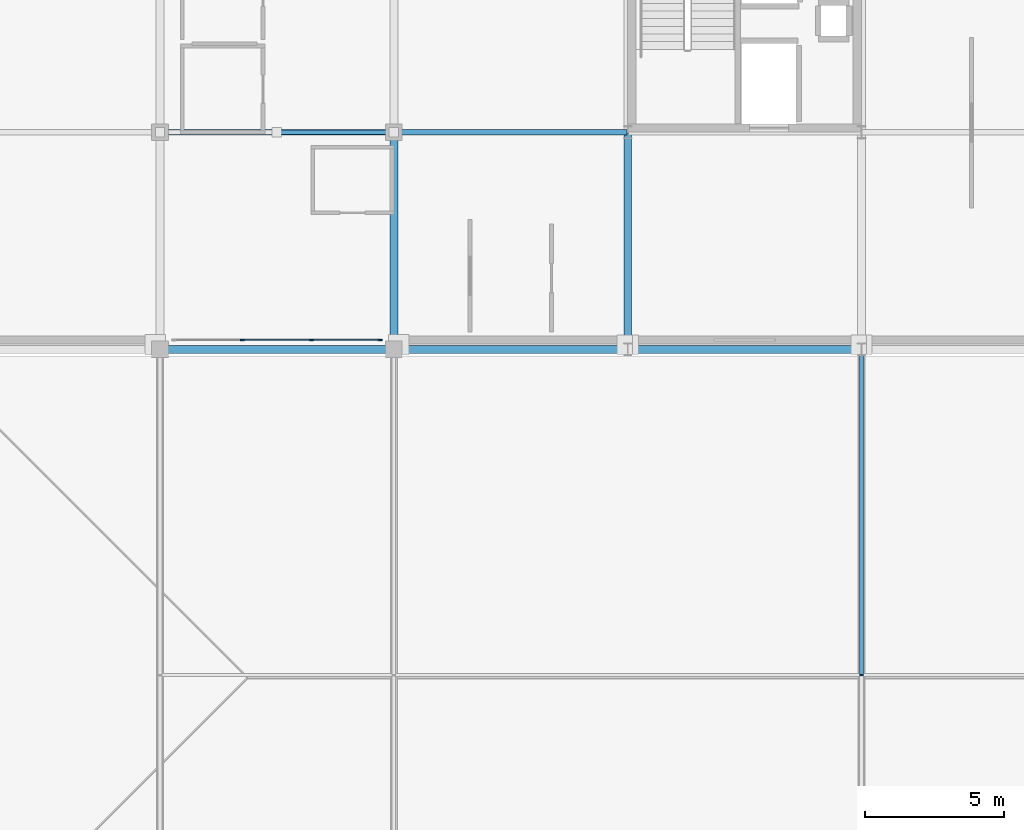
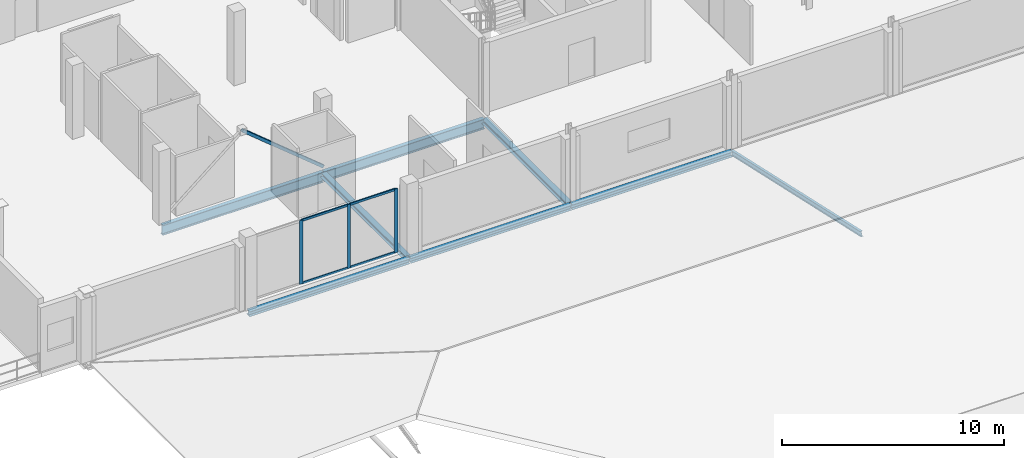
# One storey, part 9 of 25: 9 members, 7 beams, 1 element without a shape of its own.
"""IFC4 building model written with IfcOpenShell, lengths in metres."""

from ifc_helpers import new_model, si_unit, direction, frame, origin, origin_2d, place, context, subcontext, project, spatial, rectangle, hollow_rectangle, i_section, extrude, material, material_profile, profile_set, type_object, element, aggregate, save


model = new_model("IFC4")

# Units and contexts
model_context = context("Model", 3, precision=1e-05, world=origin(), true_north=direction((0.0, 1.0)))
body_context = subcontext(model_context, "Body", "Model", "MODEL_VIEW")
ifc_project = project(units=[si_unit("LENGTHUNIT", "METRE"), si_unit("AREAUNIT", "SQUARE_METRE"), si_unit("VOLUMEUNIT", "CUBIC_METRE"), si_unit("PLANEANGLEUNIT", "RADIAN"), si_unit("MASSUNIT", "GRAM", prefix="KILO")], contexts=[model_context])

# Site, building, storey
site_placement = place(None, origin())
site = spatial("IfcSite", under=ifc_project, at=site_placement, CompositionType="ELEMENT")
building_placement = place(site_placement, origin())
building = spatial("IfcBuilding", under=site, at=building_placement, Name="Nabrawat Pavilion Hospital", CompositionType="ELEMENT")
storey_placement = place(building_placement, frame((0.0, 0.0, 22.949951171875)))
storey = spatial("IfcBuildingStorey", under=building, at=storey_placement, Name="L05", CompositionType="ELEMENT", Elevation=22.949951171875)

# Curtain wall, members
ifc_material_1 = material(Name="Anodised Aluminium", Category="aluminium")
curtain_wall_type = type_object("IfcCurtainWallType", Name="Inpatient Dayroom Bay Curtain Wall", PredefinedType="USERDEFINED", material=ifc_material_1)
curtain_wall_placement = place(storey_placement, origin())
curtain_wall = element("IfcCurtainWall", 1, at=curtain_wall_placement, inside=storey, type_object=curtain_wall_type, Name="L05 Inpatient Dayroom Bay Curtain Wall 151", ObjectType="CURTAIN WALL", PredefinedType="USERDEFINED")
ifc_material_profile_1 = material_profile(ifc_material_1, rectangle(XDim=0.06005859375, YDim=0.159912109375, at=origin_2d()), Name="CWM 60x160")
ifc_profile_set_1 = profile_set([ifc_material_profile_1], Name="Anodised Aluminium")
member_type_1 = type_object("IfcMemberType", Name="Inpatient Dayroom Bay Curtain Wall Mullion CWM 60x160", PredefinedType="MULLION", material=ifc_profile_set_1)
member_1_placement = place(storey_placement, frame((154.15673828125, 39.340087890625, 0.0), z_axis=(0.0, 0.0, 1.0), x_axis=(0.0, 1.0, 0.0)))
member_1 = element("IfcMember", 2, at=member_1_placement, type_object=member_type_1, Name="CW-WRD-01 mullion 2", PredefinedType="MULLION", context=body_context, shape_type="SweptSolid", body=[
    extrude(rectangle(XDim=0.06005859375, YDim=0.159912109375, at=origin_2d()), origin(), (0.0, 0.0, 1.0), 3.510009765625),
])
member_2_placement = place(storey_placement, frame((156.643310546875, 39.340087890625, 0.0), z_axis=(0.0, 0.0, 1.0), x_axis=(0.0, 1.0, 0.0)))
member_2 = element("IfcMember", 3, at=member_2_placement, type_object=member_type_1, Name="CW-WRD-01 mullion 3", PredefinedType="MULLION", context=body_context, shape_type="SweptSolid", body=[
    extrude(rectangle(XDim=0.06005859375, YDim=0.159912109375, at=origin_2d()), origin(), (0.0, 0.0, 1.0), 3.510009765625),
])
member_3_placement = place(storey_placement, frame((159.10009765625, 39.340087890625, 0.0), z_axis=(0.0, 0.0, 1.0), x_axis=(0.0, 1.0, 0.0)))
member_3 = element("IfcMember", 4, at=member_3_placement, type_object=member_type_1, Name="CW-WRD-01 mullion 4", PredefinedType="MULLION", context=body_context, shape_type="SweptSolid", body=[
    extrude(rectangle(XDim=0.06005859375, YDim=0.159912109375, at=origin_2d()), origin(), (0.0, 0.0, 1.0), 3.510009765625),
])
ifc_material_profile_2 = material_profile(ifc_material_1, rectangle(XDim=0.06005859375, YDim=0.1201171875, at=origin_2d()), Name="CWT 60x120")
ifc_profile_set_2 = profile_set([ifc_material_profile_2], Name="Anodised Aluminium")
member_type_2 = type_object("IfcMemberType", Name="Inpatient Dayroom Bay Curtain Wall Transom CWT 60x120", PredefinedType="USERDEFINED", material=ifc_profile_set_2)
member_4_placement = place(storey_placement, frame((154.186767578125, 39.340087890625, 0.030029296875), z_axis=(1.0, 0.0, 0.0), x_axis=(0.0, 1.0, 0.0)))
member_4 = element("IfcMember", 5, at=member_4_placement, type_object=member_type_2, Name="CW-WRD-01 transom 2.1", ObjectType="TRANSOM", PredefinedType="USERDEFINED", context=body_context, shape_type="SweptSolid", body=[
    extrude(rectangle(XDim=0.06005859375, YDim=0.1201171875, at=origin_2d()), origin(), (0.0, 0.0, 1.0), 2.426513671875),
])
member_5_placement = place(storey_placement, frame((154.186767578125, 39.340087890625, 3.47998046875), z_axis=(1.0, 0.0, 0.0), x_axis=(0.0, 1.0, 0.0)))
member_5 = element("IfcMember", 6, at=member_5_placement, type_object=member_type_2, Name="CW-WRD-01 transom 2.2", ObjectType="TRANSOM", PredefinedType="USERDEFINED", context=body_context, shape_type="SweptSolid", body=[
    extrude(rectangle(XDim=0.06005859375, YDim=0.1201171875, at=origin_2d()), origin(), (0.0, 0.0, 1.0), 2.426513671875),
])
member_6_placement = place(storey_placement, frame((156.67333984375, 39.340087890625, 0.030029296875), z_axis=(1.0, 0.0, 0.0), x_axis=(0.0, 1.0, 0.0)))
member_6 = element("IfcMember", 7, at=member_6_placement, type_object=member_type_2, Name="CW-WRD-01 transom 3.1", ObjectType="TRANSOM", PredefinedType="USERDEFINED", context=body_context, shape_type="SweptSolid", body=[
    extrude(rectangle(XDim=0.06005859375, YDim=0.1201171875, at=origin_2d()), origin(), (0.0, 0.0, 1.0), 2.396728515625),
])
member_7_placement = place(storey_placement, frame((156.67333984375, 39.340087890625, 3.47998046875), z_axis=(1.0, 0.0, 0.0), x_axis=(0.0, 1.0, 0.0)))
member_7 = element("IfcMember", 8, at=member_7_placement, type_object=member_type_2, Name="CW-WRD-01 transom 3.2", ObjectType="TRANSOM", PredefinedType="USERDEFINED", context=body_context, shape_type="SweptSolid", body=[
    extrude(rectangle(XDim=0.06005859375, YDim=0.1201171875, at=origin_2d()), origin(), (0.0, 0.0, 1.0), 2.396728515625),
])
aggregate(curtain_wall, [member_1, member_2, member_3, member_4, member_5, member_6, member_7])

# Beams
ifc_material_2 = material(Name="Steel S355", Category="steel")
ifc_material_profile_3 = material_profile(ifc_material_2, i_section(OverallWidth=0.2099609375, OverallDepth=0.550048828125, WebThickness=0.010986328125, FlangeThickness=0.01708984375, FilletRadius=0.02392578125, at=origin_2d()), Name="IPE 550")
ifc_profile_set_3 = profile_set([ifc_material_profile_3], Name="Steel S355")
beam_type_1 = type_object("IfcBeamType", Name="Long-Span Floor Girder IPE 550", PredefinedType="USERDEFINED", material=ifc_profile_set_3)
beam_1_placement = place(storey_placement, frame((151.219970703125, 46.800048828125, -0.5048828125), z_axis=(1.0, 0.0, 0.0), x_axis=(0.0, 1.0, 0.0)))
element("IfcBeam", 9, at=beam_1_placement, inside=storey, type_object=beam_type_1, Name="L05 Primary X Girder 1992", ObjectType="GIRDER", PredefinedType="USERDEFINED", context=body_context, shape_type="SweptSolid", body=[
    extrude(i_section(OverallWidth=0.2099609375, OverallDepth=0.550048828125, WebThickness=0.010986328125, FlangeThickness=0.01708984375, FilletRadius=0.02392578125, at=origin_2d()), origin(), (0.0, 0.0, 1.0), 8.360107421875),
])
beam_2_placement = place(storey_placement, frame((159.6201171875, 46.800048828125, -0.5048828125), z_axis=(1.0, 0.0, 0.0), x_axis=(0.0, 1.0, 0.0)))
element("IfcBeam", 10, at=beam_2_placement, inside=storey, type_object=beam_type_1, Name="L05 Primary X Girder 1993", ObjectType="GIRDER", PredefinedType="USERDEFINED", context=body_context, shape_type="SweptSolid", body=[
    extrude(i_section(OverallWidth=0.2099609375, OverallDepth=0.550048828125, WebThickness=0.010986328125, FlangeThickness=0.01708984375, FilletRadius=0.02392578125, at=origin_2d()), origin(), (0.0, 0.0, 1.0), 8.35986328125),
])

# Members
ifc_material_profile_4 = material_profile(ifc_material_2, i_section(OverallWidth=0.135009765625, OverallDepth=0.27001953125, WebThickness=0.006591796875, FlangeThickness=0.01025390625, FilletRadius=0.014892578125, at=origin_2d()), Name="IPE 270")
ifc_profile_set_4 = profile_set([ifc_material_profile_4], Name="Steel S355")
member_type_3 = type_object("IfcMemberType", Name="Outpatient Hipped Roof Rafter IPE 270", PredefinedType="RAFTER", material=ifc_profile_set_4)
member_8_placement = place(storey_placement, frame((176.39990234375, 39.0, -0.349853515625), z_axis=(0.0, -0.976133352556, 0.217172001021), x_axis=(1.0, 0.0, 0.0)))
element("IfcMember", 11, at=member_8_placement, inside=storey, type_object=member_type_3, Name="Outpatient North Pavilion North Hipped Rafter 03", PredefinedType="RAFTER", context=body_context, shape_type="SweptSolid", body=[
    extrude(i_section(OverallWidth=0.135009765625, OverallDepth=0.27001953125, WebThickness=0.006591796875, FlangeThickness=0.01025390625, FilletRadius=0.014892578125, at=origin_2d()), origin(), (0.0, 0.0, 1.0), 11.986083984375),
])
ifc_material_profile_5 = material_profile(ifc_material_2, hollow_rectangle(XDim=0.14990234375, YDim=0.14990234375, WallThickness=0.010009765625, at=origin_2d()), Name="SHS 150x150x10")
ifc_profile_set_5 = profile_set([ifc_material_profile_5], Name="Steel S355")
member_type_4 = type_object("IfcMemberType", Name="Top Ward Chevron Brace SHS 150x150x10", PredefinedType="BRACE", material=ifc_profile_set_5)
member_9_placement = place(storey_placement, frame((159.60009765625, 46.800048828125, 0.050048828125), z_axis=(-0.772745137627, 0.0, 0.634716434539), x_axis=(0.0, -1.0, 0.0)))
element("IfcMember", 12, at=member_9_placement, inside=storey, type_object=member_type_4, Name="L05 Seismic Concentric Chevron Brace 060", PredefinedType="BRACE", context=body_context, shape_type="SweptSolid", body=[
    extrude(hollow_rectangle(XDim=0.14990234375, YDim=0.14990234375, WallThickness=0.010009765625, at=origin_2d()), origin(), (0.0, 0.0, 1.0), 5.435302734375),
])

# Beams
ifc_material_profile_6 = material_profile(ifc_material_2, i_section(OverallWidth=0.280029296875, OverallDepth=0.27001953125, WebThickness=0.008056640625, FlangeThickness=0.012939453125, FilletRadius=0.02392578125, at=origin_2d()), Name="HEA 280")
ifc_profile_set_6 = profile_set([ifc_material_profile_6], Name="Steel S355")
beam_type_2 = type_object("IfcBeamType", Name="Top Ward Floor Beam HEA 280", PredefinedType="BEAM", material=ifc_profile_set_6)
for number, where, z_axis, x_axis, name in (
    (13, (159.60009765625, 39.02001953125, -0.364990234375), (0.0, 1.0, 0.0), (-1.0, 0.0, 0.0), "L05 Primary Y Beam 2072"),
    (14, (168.0, 39.02001953125, -0.364990234375), (0.0, 1.0, 0.0), (-1.0, 0.0, 0.0), "L05 Primary Y Beam 2083"),
):
    element("IfcBeam", number, at=place(storey_placement, frame(where, z_axis=z_axis, x_axis=x_axis)), inside=storey, type_object=beam_type_2, Name=name, PredefinedType="BEAM", context=body_context, shape_type="SweptSolid", body=[
        extrude(i_section(OverallWidth=0.280029296875, OverallDepth=0.27001953125, WebThickness=0.008056640625, FlangeThickness=0.012939453125, FilletRadius=0.02392578125, at=origin_2d()), origin(), (0.0, 0.0, 1.0), 7.760009765625),
    ])
ifc_material_profile_7 = material_profile(ifc_material_2, i_section(OverallWidth=0.280029296875, OverallDepth=0.280029296875, WebThickness=0.010498046875, FlangeThickness=0.01806640625, FilletRadius=0.02392578125, at=origin_2d()), Name="HEB 280")
ifc_profile_set_7 = profile_set([ifc_material_profile_7], Name="Steel S355")
beam_type_3 = type_object("IfcBeamType", Name="Upper Terrace Edge Spandrel HEB 280", PredefinedType="SPANDREL", material=ifc_profile_set_7)
beam_3_placement = place(storey_placement, frame((151.219970703125, 39.0, -0.369873046875), z_axis=(1.0, 0.0, 0.0), x_axis=(0.0, 1.0, 0.0)))
element("IfcBeam", 15, at=beam_3_placement, inside=storey, type_object=beam_type_3, Name="L05 Primary X Girder 1986", PredefinedType="SPANDREL", context=body_context, shape_type="SweptSolid", body=[
    extrude(i_section(OverallWidth=0.280029296875, OverallDepth=0.280029296875, WebThickness=0.010498046875, FlangeThickness=0.01806640625, FilletRadius=0.02392578125, at=origin_2d()), origin(), (0.0, 0.0, 1.0), 8.360107421875),
])
for number, where, z_axis, x_axis, name in (
    (16, (159.6201171875, 39.0, -0.369873046875), (1.0, 0.0, 0.0), (0.0, 1.0, 0.0), "L05 Primary X Girder 1987"),
    (17, (168.02001953125, 39.0, -0.369873046875), (1.0, 0.0, 0.0), (0.0, 1.0, 0.0), "L05 Primary X Girder 1988"),
):
    element("IfcBeam", number, at=place(storey_placement, frame(where, z_axis=z_axis, x_axis=x_axis)), inside=storey, type_object=beam_type_3, Name=name, PredefinedType="SPANDREL", context=body_context, shape_type="SweptSolid", body=[
        extrude(i_section(OverallWidth=0.280029296875, OverallDepth=0.280029296875, WebThickness=0.010498046875, FlangeThickness=0.01806640625, FilletRadius=0.02392578125, at=origin_2d()), origin(), (0.0, 0.0, 1.0), 8.35986328125),
    ])

save(model, "model.ifc")
